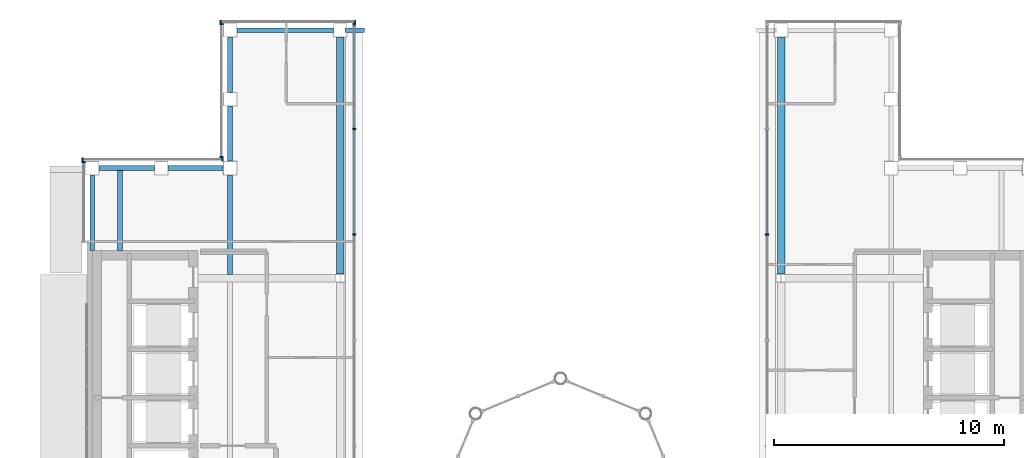
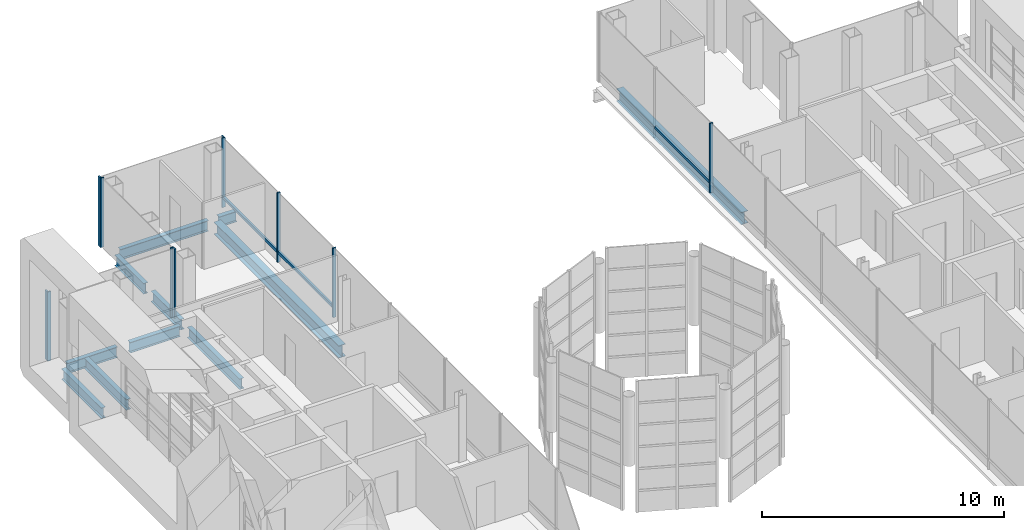
# One storey, part 8 of 21: 14 members, 11 beams, 6 elements without a shape of their own.
"""IFC4 building model written with IfcOpenShell, lengths in metres."""

from ifc_helpers import new_model, si_unit, direction, frame, origin, origin_2d, place, context, subcontext, project, spatial, rectangle, i_section, extrude, material, material_profile, profile_set, type_object, element, aggregate, save


model = new_model("IFC4")

# Units and contexts
model_context = context("Model", 3, precision=1e-05, world=origin(), true_north=direction((0.0, 1.0)))
body_context = subcontext(model_context, "Body", "Model", "MODEL_VIEW")
ifc_project = project(units=[si_unit("LENGTHUNIT", "METRE"), si_unit("AREAUNIT", "SQUARE_METRE"), si_unit("VOLUMEUNIT", "CUBIC_METRE"), si_unit("PLANEANGLEUNIT", "RADIAN"), si_unit("MASSUNIT", "GRAM", prefix="KILO")], contexts=[model_context])

# Site, building, storey
site_placement = place(None, origin())
site = spatial("IfcSite", under=ifc_project, at=site_placement, CompositionType="ELEMENT")
building_placement = place(site_placement, origin())
building = spatial("IfcBuilding", under=site, at=building_placement, Name="Cobrizo Arcos Hotel Tower", CompositionType="ELEMENT")
storey_placement = place(building_placement, frame((0.0, 0.0, 276.0)))
storey = spatial("IfcBuildingStorey", under=building, at=storey_placement, Name="L73", CompositionType="ELEMENT", Elevation=276.0)

# Curtain wall, members
ifc_material_1 = material(Name="Aluminium 6063-T6 anodised bronze", Category="aluminium")
curtain_wall_type_1 = type_object("IfcCurtainWallType", Name="CW-A guest facade", PredefinedType="NOTDEFINED", material=ifc_material_1)
curtain_wall_1_placement = place(storey_placement, origin())
curtain_wall_1 = element("IfcCurtainWall", 1, at=curtain_wall_1_placement, inside=storey, type_object=curtain_wall_type_1, Name="CW-A L73 N face", PredefinedType="NOTDEFINED")
ifc_material_profile_1 = material_profile(ifc_material_1, rectangle(XDim=0.14990234375, YDim=0.06005859375, at=origin_2d()), Name="CW-A mullion 150x60")
ifc_profile_set_1 = profile_set([ifc_material_profile_1], Name="Aluminium 6063-T6 anodised bronze")
member_type_1 = type_object("IfcMemberType", Name="CW-A mullion 150x60", PredefinedType="MULLION", material=ifc_profile_set_1)
member_1_placement = place(storey_placement, frame((-8.945068359375, 20.77490234375, 0.0), z_axis=(0.0, 0.0, 1.0), x_axis=(0.0, 1.0, 0.0)))
member_1 = element("IfcMember", 2, at=member_1_placement, type_object=member_type_1, Name="CW-A mullion 1", PredefinedType="MULLION", context=body_context, shape_type="SweptSolid", body=[
    extrude(rectangle(XDim=0.14990234375, YDim=0.06005859375, at=origin_2d()), origin(), (0.0, 0.0, 1.0), 3.5),
])
member_2_placement = place(storey_placement, frame((-14.820068359375, 20.77490234375, 0.0), z_axis=(0.0, 0.0, 1.0), x_axis=(0.0, 1.0, 0.0)))
member_2 = element("IfcMember", 3, at=member_2_placement, type_object=member_type_1, Name="CW-A mullion 2", PredefinedType="MULLION", context=body_context, shape_type="SweptSolid", body=[
    extrude(rectangle(XDim=0.14990234375, YDim=0.06005859375, at=origin_2d()), origin(), (0.0, 0.0, 1.0), 3.5),
])
aggregate(curtain_wall_1, [member_1, member_2])

curtain_wall_2_placement = place(storey_placement, origin())
curtain_wall_2 = element("IfcCurtainWall", 4, at=curtain_wall_2_placement, inside=storey, type_object=curtain_wall_type_1, Name="CW-A L73 W face", PredefinedType="NOTDEFINED")
member_3_placement = place(storey_placement, frame((-14.77490234375, 20.669921875, 0.0), z_axis=(0.0, 0.0, 1.0), x_axis=(-1.0, 0.0, 0.0)))
member_3 = element("IfcMember", 5, at=member_3_placement, type_object=member_type_1, Name="CW-A mullion 1", PredefinedType="MULLION", context=body_context, shape_type="SweptSolid", body=[
    extrude(rectangle(XDim=0.14990234375, YDim=0.06005859375, at=origin_2d()), origin(), (0.0, 0.0, 1.0), 3.5),
])
member_4_placement = place(storey_placement, frame((-14.77490234375, 14.8798828125, 0.0), z_axis=(0.0, 0.0, 1.0), x_axis=(-1.0, 0.0, 0.0)))
member_4 = element("IfcMember", 6, at=member_4_placement, type_object=member_type_1, Name="CW-A mullion 2", PredefinedType="MULLION", context=body_context, shape_type="SweptSolid", body=[
    extrude(rectangle(XDim=0.14990234375, YDim=0.06005859375, at=origin_2d()), origin(), (0.0, 0.0, 1.0), 3.5),
])
aggregate(curtain_wall_2, [member_3, member_4])

curtain_wall_3_placement = place(storey_placement, origin())
curtain_wall_3 = element("IfcCurtainWall", 7, at=curtain_wall_3_placement, inside=storey, type_object=curtain_wall_type_1, Name="CW-A L73 N face", PredefinedType="NOTDEFINED")
member_5_placement = place(storey_placement, frame((-14.72998046875, 14.77490234375, 0.0), z_axis=(0.0, 0.0, 1.0), x_axis=(0.0, 1.0, 0.0)))
member_5 = element("IfcMember", 8, at=member_5_placement, type_object=member_type_1, Name="CW-A mullion 1", PredefinedType="MULLION", context=body_context, shape_type="SweptSolid", body=[
    extrude(rectangle(XDim=0.14990234375, YDim=0.06005859375, at=origin_2d()), origin(), (0.0, 0.0, 1.0), 3.5),
])
member_6_placement = place(storey_placement, frame((-20.820068359375, 14.77490234375, 0.0), z_axis=(0.0, 0.0, 1.0), x_axis=(0.0, 1.0, 0.0)))
member_6 = element("IfcMember", 9, at=member_6_placement, type_object=member_type_1, Name="CW-A mullion 2", PredefinedType="MULLION", context=body_context, shape_type="SweptSolid", body=[
    extrude(rectangle(XDim=0.14990234375, YDim=0.06005859375, at=origin_2d()), origin(), (0.0, 0.0, 1.0), 3.5),
])
aggregate(curtain_wall_3, [member_5, member_6])

# Curtain wall, member
curtain_wall_4_placement = place(storey_placement, origin())
curtain_wall_4 = element("IfcCurtainWall", 10, at=curtain_wall_4_placement, inside=storey, type_object=curtain_wall_type_1, Name="CW-A L73 W face", PredefinedType="NOTDEFINED")
member_7_placement = place(storey_placement, frame((-20.77490234375, 14.669921875, 0.0), z_axis=(0.0, 0.0, 1.0), x_axis=(-1.0, 0.0, 0.0)))
member_7 = element("IfcMember", 11, at=member_7_placement, type_object=member_type_1, Name="CW-A mullion 1", PredefinedType="MULLION", context=body_context, shape_type="SweptSolid", body=[
    extrude(rectangle(XDim=0.14990234375, YDim=0.06005859375, at=origin_2d()), origin(), (0.0, 0.0, 1.0), 3.5),
])
aggregate(curtain_wall_4, [member_7])

curtain_wall_type_2 = type_object("IfcCurtainWallType", Name="CW-C arch infill and crown glazing", PredefinedType="NOTDEFINED", material=ifc_material_1)
curtain_wall_5_placement = place(storey_placement, origin())
curtain_wall_5 = element("IfcCurtainWall", 12, at=curtain_wall_5_placement, inside=storey, type_object=curtain_wall_type_2, Name="CW-C L73 W face", PredefinedType="NOTDEFINED")
ifc_material_profile_2 = material_profile(ifc_material_1, rectangle(XDim=0.14990234375, YDim=0.070068359375, at=origin_2d()), Name="CW-C mullion 150x70")
ifc_profile_set_2 = profile_set([ifc_material_profile_2], Name="Aluminium 6063-T6 anodised bronze")
member_type_2 = type_object("IfcMemberType", Name="CW-C mullion 150x70", PredefinedType="MULLION", material=ifc_profile_set_2)
member_8_placement = place(storey_placement, frame((8.989990234375, 11.5, 0.0), z_axis=(0.0, 0.0, 1.0), x_axis=(-1.0, 0.0, 0.0)))
member_8 = element("IfcMember", 13, at=member_8_placement, type_object=member_type_2, Name="CW-C mullion 3", PredefinedType="MULLION", context=body_context, shape_type="SweptSolid", body=[
    extrude(rectangle(XDim=0.14990234375, YDim=0.070068359375, at=origin_2d()), origin(), (0.0, 0.0, 1.0), 3.5),
])

# Curtain wall, members
curtain_wall_6_placement = place(storey_placement, origin())
curtain_wall_6 = element("IfcCurtainWall", 14, at=curtain_wall_6_placement, inside=storey, type_object=curtain_wall_type_2, Name="CW-C L73 E face", PredefinedType="NOTDEFINED")
member_9_placement = place(storey_placement, frame((-8.989990234375, 11.5, 0.0), z_axis=(0.0, 0.0, 1.0), x_axis=(1.0, 0.0, 0.0)))
member_9 = element("IfcMember", 15, at=member_9_placement, type_object=member_type_2, Name="CW-C mullion 8", PredefinedType="MULLION", context=body_context, shape_type="SweptSolid", body=[
    extrude(rectangle(XDim=0.14990234375, YDim=0.070068359375, at=origin_2d()), origin(), (0.0, 0.0, 1.0), 3.5),
])
member_10_placement = place(storey_placement, frame((-8.989990234375, 16.10009765625, 0.0), z_axis=(0.0, 0.0, 1.0), x_axis=(1.0, 0.0, 0.0)))
member_10 = element("IfcMember", 16, at=member_10_placement, type_object=member_type_2, Name="CW-C mullion 9", PredefinedType="MULLION", context=body_context, shape_type="SweptSolid", body=[
    extrude(rectangle(XDim=0.14990234375, YDim=0.070068359375, at=origin_2d()), origin(), (0.0, 0.0, 1.0), 3.5),
])
member_11_placement = place(storey_placement, frame((-8.989990234375, 20.6650390625, 0.0), z_axis=(0.0, 0.0, 1.0), x_axis=(1.0, 0.0, 0.0)))
member_11 = element("IfcMember", 17, at=member_11_placement, type_object=member_type_2, Name="CW-C mullion 10", PredefinedType="MULLION", context=body_context, shape_type="SweptSolid", body=[
    extrude(rectangle(XDim=0.14990234375, YDim=0.070068359375, at=origin_2d()), origin(), (0.0, 0.0, 1.0), 3.5),
])

# Member
ifc_material_profile_3 = material_profile(ifc_material_1, rectangle(XDim=0.10009765625, YDim=0.139892578125, at=origin_2d()), Name="CW-C transom 140x100")
ifc_profile_set_3 = profile_set([ifc_material_profile_3], Name="Aluminium 6063-T6 anodised bronze")
member_type_3 = type_object("IfcMemberType", Name="CW-C transom 140x100", PredefinedType="USERDEFINED", material=ifc_profile_set_3)
member_12_placement = place(storey_placement, frame((8.989990234375, 16.06494140625, 0.5), z_axis=(0.0, -1.0, 0.0), x_axis=(1.0, 0.0, 0.0)))
member_12 = element("IfcMember", 18, at=member_12_placement, type_object=member_type_3, Name="CW-C transom 2292", ObjectType="TRANSOM", PredefinedType="USERDEFINED", context=body_context, shape_type="SweptSolid", body=[
    extrude(rectangle(XDim=0.10009765625, YDim=0.139892578125, at=origin_2d()), origin(), (0.0, 0.0, 1.0), 4.530029296875),
])

aggregate(curtain_wall_5, [member_8, member_12])

member_13_placement = place(storey_placement, frame((-8.989990234375, 11.534912109375, 0.5), z_axis=(0.0, 1.0, 0.0), x_axis=(-1.0, 0.0, 0.0)))
member_13 = element("IfcMember", 19, at=member_13_placement, type_object=member_type_3, Name="CW-C transom 2315", ObjectType="TRANSOM", PredefinedType="USERDEFINED", context=body_context, shape_type="SweptSolid", body=[
    extrude(rectangle(XDim=0.10009765625, YDim=0.139892578125, at=origin_2d()), origin(), (0.0, 0.0, 1.0), 4.530029296875),
])

member_14_placement = place(storey_placement, frame((-8.989990234375, 16.135009765625, 0.5), z_axis=(0.0, 1.0, 0.0), x_axis=(-1.0, 0.0, 0.0)))
member_14 = element("IfcMember", 20, at=member_14_placement, type_object=member_type_3, Name="CW-C transom 2316", ObjectType="TRANSOM", PredefinedType="USERDEFINED", context=body_context, shape_type="SweptSolid", body=[
    extrude(rectangle(XDim=0.10009765625, YDim=0.139892578125, at=origin_2d()), origin(), (0.0, 0.0, 1.0), 4.494873046875),
])

aggregate(curtain_wall_6, [member_9, member_10, member_11, member_13, member_14])

# Beams
ifc_material_2 = material(Name="Steel ASTM A992 Grade 50", Category="steel")
ifc_material_profile_4 = material_profile(ifc_material_2, i_section(OverallWidth=0.209228515625, OverallDepth=0.533447265625, WebThickness=0.01025390625, FlangeThickness=0.015625, at=origin_2d()), Name="W21X62")
ifc_profile_set_4 = profile_set([ifc_material_profile_4], Name="Steel ASTM A992 Grade 50")
beam_type_1 = type_object("IfcBeamType", Name="W21X62 joist", PredefinedType="JOIST", material=ifc_profile_set_4)
beam_1_placement = place(storey_placement, frame((-19.199951171875, 10.81005859375, -0.416748046875), z_axis=(0.0, 1.0, 0.0), x_axis=(-1.0, 0.0, 0.0)))
element("IfcBeam", 21, at=beam_1_placement, inside=storey, type_object=beam_type_1, Name="Floor joist J1, L73, no. 002", PredefinedType="JOIST", context=body_context, shape_type="SweptSolid", body=[
    extrude(i_section(OverallWidth=0.209228515625, OverallDepth=0.533447265625, WebThickness=0.01025390625, FlangeThickness=0.015625, at=origin_2d()), origin(), (0.0, 0.0, 1.0), 3.5),
])
beam_2_placement = place(storey_placement, frame((-14.39990234375, 9.763916015625, -0.416748046875), z_axis=(0.0, 1.0, 0.0), x_axis=(-1.0, 0.0, 0.0)))
element("IfcBeam", 22, at=beam_2_placement, inside=storey, type_object=beam_type_1, Name="Floor joist J1, L73, no. 006", PredefinedType="JOIST", context=body_context, shape_type="SweptSolid", body=[
    extrude(i_section(OverallWidth=0.209228515625, OverallDepth=0.533447265625, WebThickness=0.01025390625, FlangeThickness=0.015625, at=origin_2d()), origin(), (0.0, 0.0, 1.0), 4.336181640625),
])
ifc_material_profile_5 = material_profile(ifc_material_2, i_section(OverallWidth=0.209228515625, OverallDepth=0.533447265625, WebThickness=0.01025390625, FlangeThickness=0.015625, at=origin_2d()), Name="W21X62")
ifc_profile_set_5 = profile_set([ifc_material_profile_5], Name="Steel ASTM A992 Grade 50")
beam_type_2 = type_object("IfcBeamType", Name="W21X62 spandrel", PredefinedType="SPANDREL", material=ifc_profile_set_5)
beam_3_placement = place(storey_placement, frame((-20.39990234375, 10.81005859375, -0.416748046875), z_axis=(0.0, 1.0, 0.0), x_axis=(-1.0, 0.0, 0.0)))
element("IfcBeam", 23, at=beam_3_placement, inside=storey, type_object=beam_type_2, Name="Spandrel beam W21X62, L73, no. 002", PredefinedType="SPANDREL", context=body_context, shape_type="SweptSolid", body=[
    extrude(i_section(OverallWidth=0.209228515625, OverallDepth=0.533447265625, WebThickness=0.01025390625, FlangeThickness=0.015625, at=origin_2d()), origin(), (0.0, 0.0, 1.0), 3.2900390625),
])
for number, where, z_axis, x_axis, name in (
    (24, (-20.10009765625, 14.39990234375, -0.416748046875), (1.0, 0.0, 0.0), (0.0, 1.0, 0.0), "Spandrel beam W21X62, L73, no. 003"),
    (25, (-17.10009765625, 14.39990234375, -0.416748046875), (1.0, 0.0, 0.0), (0.0, 1.0, 0.0), "Spandrel beam W21X62, L73, no. 004"),
    (26, (-14.39990234375, 14.699951171875, -0.416748046875), (0.0, 1.0, 0.0), (-1.0, 0.0, 0.0), "Spandrel beam W21X62, L73, no. 005"),
    (27, (-14.39990234375, 17.699951171875, -0.416748046875), (0.0, 1.0, 0.0), (-1.0, 0.0, 0.0), "Spandrel beam W21X62, L73, no. 006"),
):
    element("IfcBeam", number, at=place(storey_placement, frame(where, z_axis=z_axis, x_axis=x_axis)), inside=storey, type_object=beam_type_2, Name=name, PredefinedType="SPANDREL", context=body_context, shape_type="SweptSolid", body=[
        extrude(i_section(OverallWidth=0.209228515625, OverallDepth=0.533447265625, WebThickness=0.01025390625, FlangeThickness=0.015625, at=origin_2d()), origin(), (0.0, 0.0, 1.0), 2.400146484375),
    ])
beam_4_placement = place(storey_placement, frame((-14.10009765625, 20.39990234375, -0.416748046875), z_axis=(1.0, 0.0, 0.0), x_axis=(0.0, 1.0, 0.0)))
element("IfcBeam", 28, at=beam_4_placement, inside=storey, type_object=beam_type_2, Name="Spandrel beam W21X62, L73, no. 007", PredefinedType="SPANDREL", context=body_context, shape_type="SweptSolid", body=[
    extrude(i_section(OverallWidth=0.209228515625, OverallDepth=0.533447265625, WebThickness=0.01025390625, FlangeThickness=0.015625, at=origin_2d()), origin(), (0.0, 0.0, 1.0), 4.2001953125),
])
beam_5_placement = place(storey_placement, frame((-9.39990234375, 20.39990234375, -0.416748046875), z_axis=(1.0, 0.0, 0.0), x_axis=(0.0, 1.0, 0.0)))
element("IfcBeam", 29, at=beam_5_placement, inside=storey, type_object=beam_type_2, Name="Spandrel beam W21X62, L73, no. 008", PredefinedType="SPANDREL", context=body_context, shape_type="SweptSolid", body=[
    extrude(i_section(OverallWidth=0.209228515625, OverallDepth=0.533447265625, WebThickness=0.01025390625, FlangeThickness=0.015625, at=origin_2d()), origin(), (0.0, 0.0, 1.0), 0.864990234375),
])
ifc_material_profile_6 = material_profile(ifc_material_2, i_section(OverallWidth=0.32763671875, OverallDepth=0.622314453125, WebThickness=0.015380859375, FlangeThickness=0.0244140625, at=origin_2d()), Name="W24X131")
ifc_profile_set_6 = profile_set([ifc_material_profile_6], Name="Steel ASTM A992 Grade 50")
beam_type_3 = type_object("IfcBeamType", Name="W24X131 girder", PredefinedType="BEAM", material=ifc_profile_set_6)
for number, where, z_axis, x_axis, name in (
    (30, (-9.60009765625, 9.7841796875, -0.461181640625), (0.0, 1.0, 0.0), (-1.0, 0.0, 0.0), "Floor girder G1, L73, no. 010"),
    (31, (9.60009765625, 9.7841796875, -0.461181640625), (0.0, 1.0, 0.0), (-1.0, 0.0, 0.0), "Floor girder G1, L73, no. 014"),
):
    element("IfcBeam", number, at=place(storey_placement, frame(where, z_axis=z_axis, x_axis=x_axis)), inside=storey, type_object=beam_type_3, Name=name, PredefinedType="BEAM", context=body_context, shape_type="SweptSolid", body=[
        extrude(i_section(OverallWidth=0.32763671875, OverallDepth=0.622314453125, WebThickness=0.015380859375, FlangeThickness=0.0244140625, at=origin_2d()), origin(), (0.0, 0.0, 1.0), 10.31591796875),
    ])

save(model, "model.ifc")
